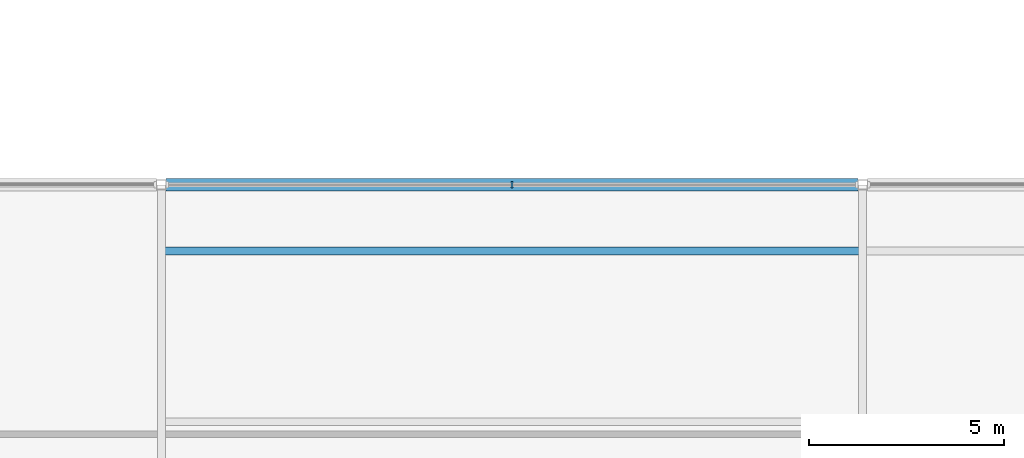
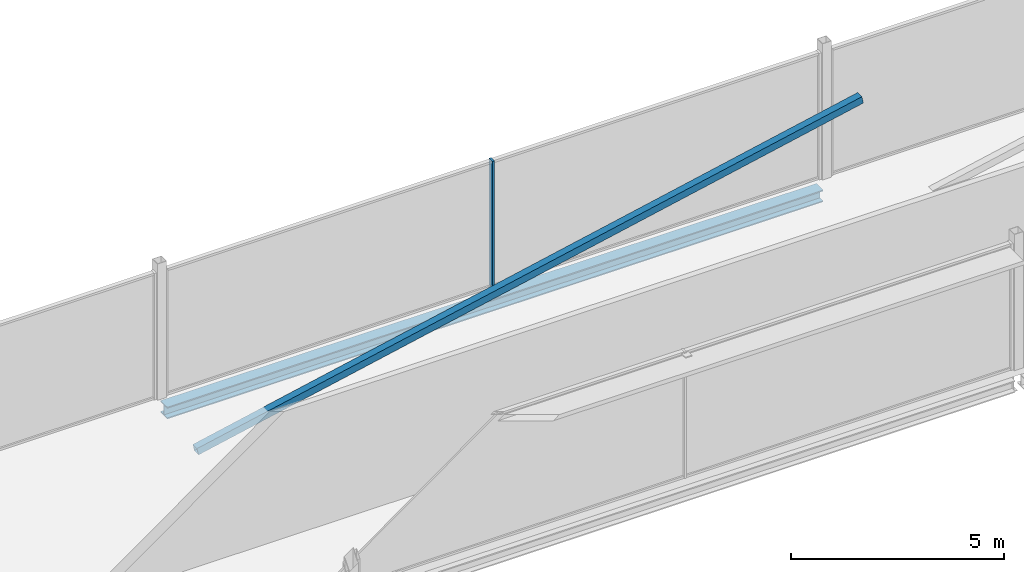
# One storey, part 27 of 98: 2 members, 1 beam, 1 element without a shape of its own.
"""IFC4 building model written with IfcOpenShell, lengths in metres."""

from ifc_helpers import new_model, si_unit, direction, frame, origin, origin_2d, place, context, subcontext, project, spatial, rectangle, hollow_rectangle, i_section, extrude, material, layer, layer_set, material_profile, profile_set, type_object, element, aggregate, save


model = new_model("IFC4")

# Units and contexts
model_context = context("Model", 3, precision=1e-05, world=origin(), true_north=direction((0.0, 1.0)))
body_context = subcontext(model_context, "Body", "Model", "MODEL_VIEW")
ifc_project = project(units=[si_unit("LENGTHUNIT", "METRE"), si_unit("AREAUNIT", "SQUARE_METRE"), si_unit("VOLUMEUNIT", "CUBIC_METRE"), si_unit("PLANEANGLEUNIT", "RADIAN"), si_unit("MASSUNIT", "GRAM", prefix="KILO")], contexts=[model_context])

# Site, building, storey
site_placement = place(None, origin())
site = spatial("IfcSite", under=ifc_project, at=site_placement, CompositionType="ELEMENT")
building_placement = place(site_placement, origin())
building = spatial("IfcBuilding", under=site, at=building_placement, Name="Kisiwana Market Hall", CompositionType="ELEMENT")
storey_placement = place(building_placement, frame((0.0, 0.0, 29.39990234375)))
storey = spatial("IfcBuildingStorey", under=building, at=storey_placement, Name="L06", CompositionType="ELEMENT", Elevation=29.39990234375)

# Beam
ifc_material_1 = material(Name="Steel S355", Category="steel")
ifc_material_profile_1 = material_profile(ifc_material_1, i_section(OverallWidth=0.314453125, OverallDepth=0.33984375, WebThickness=0.01904296875, FlangeThickness=0.031494140625, at=origin_2d()), Name="UC 305x305x198")
ifc_profile_set_1 = profile_set([ifc_material_profile_1], Name="Steel S355")
beam_type = type_object("IfcBeamType", Name="BM-SKYBR-CHORD", PredefinedType="BEAM", material=ifc_profile_set_1)
beam_placement = place(storey_placement, frame((117.12109375, 27.0, -0.434814453125), z_axis=(1.0, 0.0, 0.0), x_axis=(0.0, 1.0, 0.0)))
element("IfcBeam", 1, at=beam_placement, inside=storey, type_object=beam_type, Name="Floor beam B-1801", PredefinedType="BEAM", context=body_context, shape_type="SweptSolid", body=[
    extrude(i_section(OverallWidth=0.314453125, OverallDepth=0.33984375, WebThickness=0.01904296875, FlangeThickness=0.031494140625, at=origin_2d()), origin(), (0.0, 0.0, 1.0), 17.7578125),
])

# Curtain wall, member
ifc_material_2 = material(Name="Double-glazed solar-control low-E IGU", Category="glass")
ifc_layer = layer(ifc_material_2, 0.159912109375)
ifc_layer_set = layer_set([ifc_layer], Name="CW-ZNA-EW-8200")
curtain_wall_type = type_object("IfcCurtainWallType", Name="CW-ZNA-EW-8200", PredefinedType="USERDEFINED", material=ifc_layer_set)
curtain_wall_placement = place(storey_placement, origin())
curtain_wall = element("IfcCurtainWall", 2, at=curtain_wall_placement, inside=storey, type_object=curtain_wall_type, Name="Unitised curtain wall CW-182 (L06)", ObjectType="UNITISED CURTAIN WALL", PredefinedType="USERDEFINED")
ifc_material_3 = material(Name="Aluminium alloy 6063-T6", Category="aluminium")
ifc_material_profile_2 = material_profile(ifc_material_3, rectangle(XDim=0.06005859375, YDim=0.159912109375, at=origin_2d()), Name="ALU MULLION 60x160")
ifc_profile_set_2 = profile_set([ifc_material_profile_2], Name="Aluminium alloy 6063-T6")
member_type_1 = type_object("IfcMemberType", Name="CW-MULL-60x160", PredefinedType="MULLION", material=ifc_profile_set_2)
member_1_placement = place(storey_placement, frame((126.0, 27.0, 0.0), z_axis=(0.0, 0.0, 1.0), x_axis=(1.0, 0.0, 0.0)))
member_1 = element("IfcMember", 3, at=member_1_placement, type_object=member_type_1, Name="CW-182 mullion 2", PredefinedType="MULLION", context=body_context, shape_type="SweptSolid", body=[
    extrude(rectangle(XDim=0.06005859375, YDim=0.159912109375, at=origin_2d()), origin(), (0.0, 0.0, 1.0), 3.6201171875),
])
aggregate(curtain_wall, [member_1])

# Member
ifc_material_4 = material(Name="Steel S355", Category="steel")
ifc_material_profile_3 = material_profile(ifc_material_4, hollow_rectangle(XDim=0.199951171875, YDim=0.199951171875, WallThickness=0.010009765625, at=origin_2d()), Name="SHS 200x200x10.0")
ifc_profile_set_3 = profile_set([ifc_material_profile_3], Name="Steel S355")
member_type_2 = type_object("IfcMemberType", Name="MB-SKY-DIAG200", PredefinedType="BRACE", material=ifc_profile_set_3)
member_2_placement = place(storey_placement, frame((117.0, 25.300048828125, -0.5), z_axis=(0.978762510891, 0.0, 0.204997432362), x_axis=(0.0, 1.0, 0.0)))
element("IfcMember", 4, at=member_2_placement, inside=storey, type_object=member_type_2, Name="Skybridge truss diagonal L06 grids 14 to 16 M-0499", PredefinedType="BRACE", context=body_context, shape_type="SweptSolid", body=[
    extrude(hollow_rectangle(XDim=0.199951171875, YDim=0.199951171875, WallThickness=0.010009765625, at=origin_2d()), origin(), (0.0, 0.0, 1.0), 18.390625),
])

save(model, "model.ifc")
